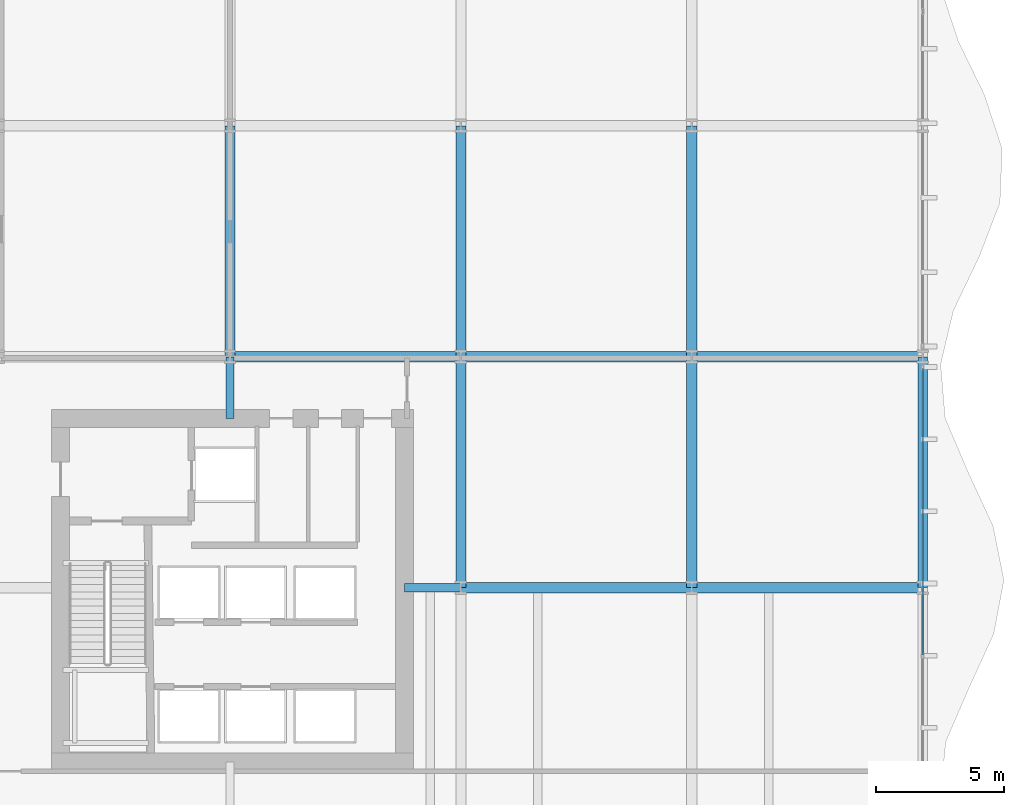
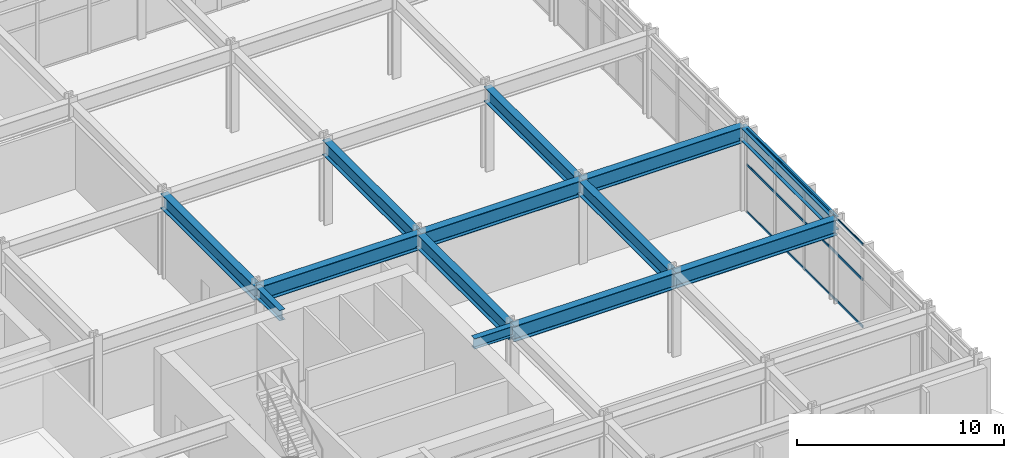
# One storey, part 12 of 31: 13 beams, 3 members, 1 element without a shape of its own.
"""IFC4 building model written with IfcOpenShell, lengths in metres."""

from ifc_helpers import new_model, si_unit, direction, frame, origin, origin_2d, place, context, subcontext, project, spatial, hollow_rectangle, i_section, extrude, material, layer, layer_set, material_profile, profile_set, type_object, element, aggregate, save


model = new_model("IFC4")

# Units and contexts
model_context = context("Model", 3, precision=1e-05, world=origin(), true_north=direction((0.0, 1.0)))
body_context = subcontext(model_context, "Body", "Model", "MODEL_VIEW")
ifc_project = project(units=[si_unit("LENGTHUNIT", "METRE"), si_unit("AREAUNIT", "SQUARE_METRE"), si_unit("VOLUMEUNIT", "CUBIC_METRE"), si_unit("PLANEANGLEUNIT", "RADIAN"), si_unit("MASSUNIT", "GRAM", prefix="KILO")], contexts=[model_context])

# Site, building, storey
site_placement = place(None, origin())
site = spatial("IfcSite", under=ifc_project, at=site_placement, CompositionType="ELEMENT")
building_placement = place(site_placement, origin())
building = spatial("IfcBuilding", under=site, at=building_placement, Name="Solvaryn Broadcast Tower", CompositionType="ELEMENT")
storey_placement = place(building_placement, frame((0.0, 0.0, 11.0)))
storey = spatial("IfcBuildingStorey", under=building, at=storey_placement, Name="L02", CompositionType="ELEMENT", Elevation=11.0)

# Beams
ifc_material_1 = material(Name="Steel ASTM A992 Grade 50", Category="steel")
ifc_material_profile_1 = material_profile(ifc_material_1, i_section(OverallWidth=0.323974609375, OverallDepth=0.611083984375, WebThickness=0.0126953125, FlangeThickness=0.01904296875, FilletRadius=0.014892578125, at=origin_2d()))
ifc_profile_set_1 = profile_set([ifc_material_profile_1], Name="Steel ASTM A992 Grade 50")
beam_type_1 = type_object("IfcBeamType", Name="BM-B1-W24X104", PredefinedType="BEAM", material=ifc_profile_set_1)
beam_1_placement = place(storey_placement, frame((36.0, 24.60009765625, 4.574462890625), z_axis=(0.0, 1.0, 0.0), x_axis=(-1.0, 0.0, 0.0)))
element("IfcBeam", 1, at=beam_1_placement, inside=storey, type_object=beam_type_1, Name="L02 Core Tie Beam CTE2", PredefinedType="BEAM", context=body_context, shape_type="SweptSolid", body=[
    extrude(i_section(OverallWidth=0.323974609375, OverallDepth=0.611083984375, WebThickness=0.0126953125, FlangeThickness=0.01904296875, FilletRadius=0.014892578125, at=origin_2d()), origin(), (0.0, 0.0, 1.0), 2.39990234375),
])
beam_2_placement = place(storey_placement, frame((42.800048828125, 18.0, 4.574462890625), z_axis=(1.0, 0.0, 0.0), x_axis=(0.0, 1.0, 0.0)))
element("IfcBeam", 2, at=beam_2_placement, inside=storey, type_object=beam_type_1, Name="L02 Core Tie Beam CTE3", PredefinedType="BEAM", context=body_context, shape_type="SweptSolid", body=[
    extrude(i_section(OverallWidth=0.323974609375, OverallDepth=0.611083984375, WebThickness=0.0126953125, FlangeThickness=0.01904296875, FilletRadius=0.014892578125, at=origin_2d()), origin(), (0.0, 0.0, 1.0), 2.199951171875),
])
ifc_material_2 = material(Name="Steel ASTM A992 Grade 50", Category="steel")
ifc_material_profile_2 = material_profile(ifc_material_2, i_section(OverallWidth=0.41796875, OverallDepth=0.927001953125, WebThickness=0.019287109375, FlangeThickness=0.031982421875, FilletRadius=0.02392578125, at=origin_2d()))
ifc_profile_set_2 = profile_set([ifc_material_profile_2], Name="Steel ASTM A992 Grade 50")
beam_type_2 = type_object("IfcBeamType", Name="BM-G2-W36X231", PredefinedType="BEAM", material=ifc_profile_set_2)
for number, where, z_axis, x_axis, name in (
    (3, (45.0, 18.0, 4.41650390625), (1.0, 0.0, 0.0), (0.0, 1.0, 0.0), "L02 Primary Beam X (45-54 @ Y=18)"),
    (4, (54.0, 18.0, 4.41650390625), (1.0, 0.0, 0.0), (0.0, 1.0, 0.0), "L02 Primary Beam X (54-63 @ Y=18)"),
    (5, (36.0, 27.0, 4.41650390625), (1.0, 0.0, 0.0), (0.0, 1.0, 0.0), "L02 Primary Beam X (36-45 @ Y=27)"),
    (6, (45.0, 27.0, 4.41650390625), (1.0, 0.0, 0.0), (0.0, 1.0, 0.0), "L02 Primary Beam X (45-54 @ Y=27)"),
    (7, (54.0, 27.0, 4.41650390625), (1.0, 0.0, 0.0), (0.0, 1.0, 0.0), "L02 Primary Beam X (54-63 @ Y=27)"),
):
    element("IfcBeam", number, at=place(storey_placement, frame(where, z_axis=z_axis, x_axis=x_axis)), inside=storey, type_object=beam_type_2, Name=name, PredefinedType="BEAM", context=body_context, shape_type="SweptSolid", body=[
        extrude(i_section(OverallWidth=0.41796875, OverallDepth=0.927001953125, WebThickness=0.019287109375, FlangeThickness=0.031982421875, FilletRadius=0.02392578125, at=origin_2d()), origin(), (0.0, 0.0, 1.0), 9.0),
    ])
ifc_material_3 = material(Name="Steel ASTM A992 Grade 50", Category="steel")
ifc_material_profile_3 = material_profile(ifc_material_3, i_section(OverallWidth=0.39990234375, OverallDepth=0.85498046875, WebThickness=0.018310546875, FlangeThickness=0.029296875, FilletRadius=0.02001953125, at=origin_2d()))
ifc_profile_set_3 = profile_set([ifc_material_profile_3], Name="Steel ASTM A992 Grade 50")
beam_type_3 = type_object("IfcBeamType", Name="BM-G3-W33X201", PredefinedType="BEAM", material=ifc_profile_set_3)
for number, where, z_axis, x_axis, name in (
    (8, (36.0, 27.0, 4.452392578125), (0.0, 1.0, 0.0), (-1.0, 0.0, 0.0), "L02 Primary Beam Y (27-36 @ X=36)"),
    (9, (45.0, 18.0, 4.452392578125), (0.0, 1.0, 0.0), (-1.0, 0.0, 0.0), "L02 Primary Beam Y (18-27 @ X=45)"),
    (10, (45.0, 27.0, 4.452392578125), (0.0, 1.0, 0.0), (-1.0, 0.0, 0.0), "L02 Primary Beam Y (27-36 @ X=45)"),
    (11, (54.0, 18.0, 4.452392578125), (0.0, 1.0, 0.0), (-1.0, 0.0, 0.0), "L02 Primary Beam Y (18-27 @ X=54)"),
    (12, (54.0, 27.0, 4.452392578125), (0.0, 1.0, 0.0), (-1.0, 0.0, 0.0), "L02 Primary Beam Y (27-36 @ X=54)"),
):
    element("IfcBeam", number, at=place(storey_placement, frame(where, z_axis=z_axis, x_axis=x_axis)), inside=storey, type_object=beam_type_3, Name=name, PredefinedType="BEAM", context=body_context, shape_type="SweptSolid", body=[
        extrude(i_section(OverallWidth=0.39990234375, OverallDepth=0.85498046875, WebThickness=0.018310546875, FlangeThickness=0.029296875, FilletRadius=0.02001953125, at=origin_2d()), origin(), (0.0, 0.0, 1.0), 9.0),
    ])
ifc_material_4 = material(Name="Steel ASTM A992 Grade 50", Category="steel")
ifc_material_profile_4 = material_profile(ifc_material_4, i_section(OverallWidth=0.381103515625, OverallDepth=0.77294921875, WebThickness=0.0166015625, FlangeThickness=0.027099609375, FilletRadius=0.01806640625, at=origin_2d()))
ifc_profile_set_4 = profile_set([ifc_material_profile_4], Name="Steel ASTM A992 Grade 50")
beam_type_4 = type_object("IfcBeamType", Name="BM-SP1-W30X173", PredefinedType="USERDEFINED", material=ifc_profile_set_4)
beam_3_placement = place(storey_placement, frame((63.0, 18.0, 4.493408203125), z_axis=(0.0, 1.0, 0.0), x_axis=(-1.0, 0.0, 0.0)))
element("IfcBeam", 13, at=beam_3_placement, inside=storey, type_object=beam_type_4, Name="L02 Spandrel Beam Y (18-27 @ X=63)", ObjectType="SPANDREL", PredefinedType="USERDEFINED", context=body_context, shape_type="SweptSolid", body=[
    extrude(i_section(OverallWidth=0.381103515625, OverallDepth=0.77294921875, WebThickness=0.0166015625, FlangeThickness=0.027099609375, FilletRadius=0.01806640625, at=origin_2d()), origin(), (0.0, 0.0, 1.0), 9.0),
])

# Curtain wall, members
ifc_material_5 = material(Name="Aluminium and Terracotta Unitised Curtain Wall", Category="masonry")
ifc_layer = layer(ifc_material_5, 0.219970703125)
ifc_layer_set = layer_set([ifc_layer], Name="CW-SYS1-PODIUM")
curtain_wall_type = type_object("IfcCurtainWallType", Name="CW-SYS1-PODIUM", PredefinedType="NOTDEFINED", material=ifc_layer_set)
curtain_wall_placement = place(storey_placement, origin())
curtain_wall = element("IfcCurtainWall", 14, at=curtain_wall_placement, inside=storey, type_object=curtain_wall_type, Name="L02 Podium Curtain Wall E2", PredefinedType="NOTDEFINED")
ifc_material_6 = material(Name="Anodised Aluminium 6063-T6", Category="aluminium")
ifc_material_profile_5 = material_profile(ifc_material_6, hollow_rectangle(XDim=0.06494140625, YDim=0.14990234375, WallThickness=0.00390625, InnerFilletRadius=0.00390625, OuterFilletRadius=0.008056640625, at=origin_2d()))
ifc_profile_set_5 = profile_set([ifc_material_profile_5], Name="Anodised Aluminium 6063-T6")
member_type = type_object("IfcMemberType", Name="CW-TRN-150", PredefinedType="USERDEFINED", material=ifc_profile_set_5)
member_1_placement = place(storey_placement, frame((63.0, 26.5400390625, 0.030029296875), z_axis=(0.0, -1.0, 0.0), x_axis=(1.0, 0.0, 0.0)))
member_1 = element("IfcMember", 15, at=member_1_placement, type_object=member_type, Name="CWS1 transom 1.1", ObjectType="TRANSOM", PredefinedType="USERDEFINED", context=body_context, shape_type="SweptSolid", body=[
    extrude(hollow_rectangle(XDim=0.06494140625, YDim=0.14990234375, WallThickness=0.00390625, InnerFilletRadius=0.00390625, OuterFilletRadius=0.008056640625, at=origin_2d()), origin(), (0.0, 0.0, 1.0), 11.16015625),
])
member_2_placement = place(storey_placement, frame((63.0, 26.5400390625, 2.800048828125), z_axis=(0.0, -1.0, 0.0), x_axis=(1.0, 0.0, 0.0)))
member_2 = element("IfcMember", 16, at=member_2_placement, type_object=member_type, Name="CWS1 transom 1.2", ObjectType="TRANSOM", PredefinedType="USERDEFINED", context=body_context, shape_type="SweptSolid", body=[
    extrude(hollow_rectangle(XDim=0.06494140625, YDim=0.14990234375, WallThickness=0.00390625, InnerFilletRadius=0.00390625, OuterFilletRadius=0.008056640625, at=origin_2d()), origin(), (0.0, 0.0, 1.0), 11.16015625),
])
member_3_placement = place(storey_placement, frame((63.0, 26.5400390625, 4.85009765625), z_axis=(0.0, -1.0, 0.0), x_axis=(1.0, 0.0, 0.0)))
member_3 = element("IfcMember", 17, at=member_3_placement, type_object=member_type, Name="CWS1 transom 1.3", ObjectType="TRANSOM", PredefinedType="USERDEFINED", context=body_context, shape_type="SweptSolid", body=[
    extrude(hollow_rectangle(XDim=0.06494140625, YDim=0.14990234375, WallThickness=0.00390625, InnerFilletRadius=0.00390625, OuterFilletRadius=0.008056640625, at=origin_2d()), origin(), (0.0, 0.0, 1.0), 11.16015625),
])
aggregate(curtain_wall, [member_1, member_2, member_3])

save(model, "model.ifc")
